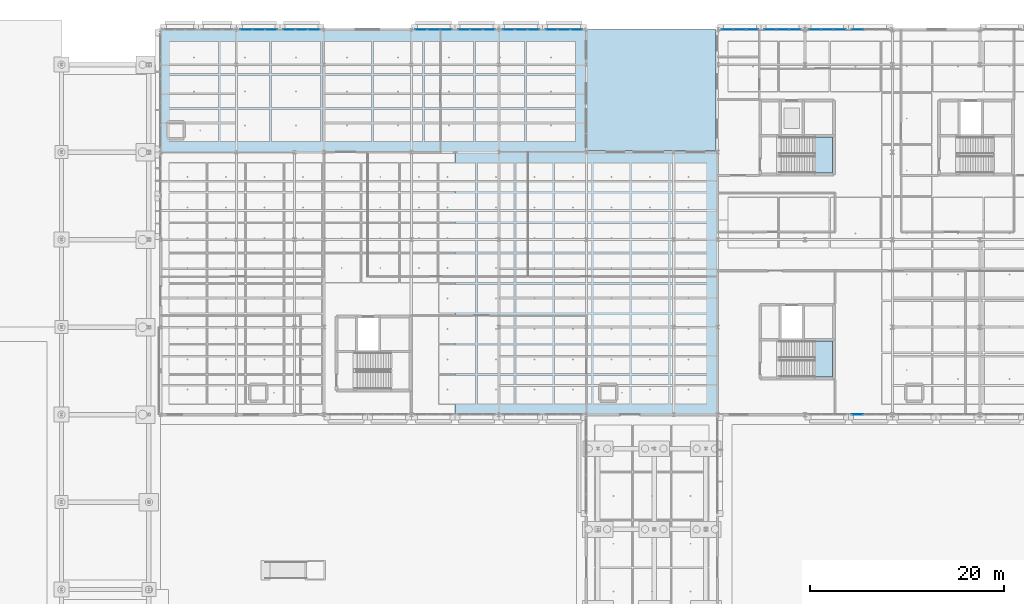
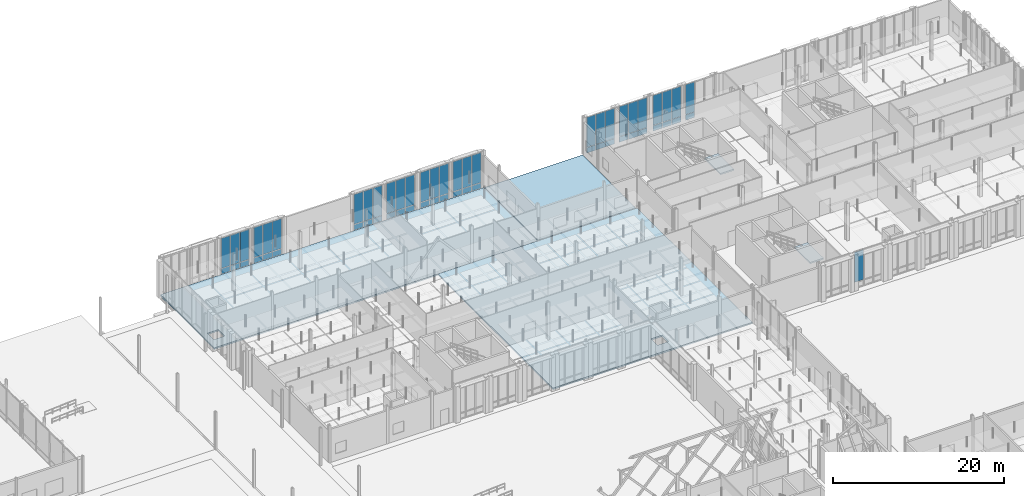
# One storey, part 73 of 180: 57 plates, 5 slabs, 13 elements without a shape of their own.
"""IFC4 building model written with IfcOpenShell, lengths in metres."""

from ifc_helpers import new_model, si_unit, direction, frame, origin, origin_2d, place, context, subcontext, project, spatial, polyline, rectangle, outline, extrude, material, layer, layer_set, type_object, element, aggregate, save


model = new_model("IFC4")

# Units and contexts
model_context = context("Model", 3, precision=1e-05, world=origin(), true_north=direction((0.0, 1.0)))
body_context = subcontext(model_context, "Body", "Model", "MODEL_VIEW")
ifc_project = project(units=[si_unit("LENGTHUNIT", "METRE"), si_unit("AREAUNIT", "SQUARE_METRE"), si_unit("VOLUMEUNIT", "CUBIC_METRE"), si_unit("PLANEANGLEUNIT", "RADIAN"), si_unit("MASSUNIT", "GRAM", prefix="KILO"), si_unit("THERMODYNAMICTEMPERATUREUNIT", "KELVIN"), si_unit("POWERUNIT", "WATT")], contexts=[model_context])

# Site, building, storey
site_placement = place(None, origin())
site = spatial("IfcSite", under=ifc_project, at=site_placement, CompositionType="ELEMENT")
building_placement = place(site_placement, origin())
building = spatial("IfcBuilding", under=site, at=building_placement, Name="Tallowbark Science Centre", CompositionType="ELEMENT")
storey_placement = place(building_placement, origin())
storey = spatial("IfcBuildingStorey", under=building, at=storey_placement, Name="L00", CompositionType="ELEMENT", Elevation=0.0)

# Curtain wall, plates
ifc_material_1 = material(Name="Unitised Thermally Broken Aluminium and Low-E Double Glazing", Category="aluminium")
curtain_wall_type = type_object("IfcCurtainWallType", Name="CW-SYS-FACADE", PredefinedType="NOTDEFINED", material=ifc_material_1)
curtain_wall_1_placement = place(storey_placement, origin())
curtain_wall_1 = element("IfcCurtainWall", 1, at=curtain_wall_1_placement, inside=storey, type_object=curtain_wall_type, Name="Unitised Curtain Wall CAF-N-63A CW-L00-032", PredefinedType="NOTDEFINED")
ifc_material_2 = material(Name="Double Glazed Argon Low-E Vision Glass", Category="glass")
ifc_layer_1 = layer(ifc_material_2, 0.028076171875)
ifc_layer_set_1 = layer_set([ifc_layer_1], Name="Double Glazed Argon Low-E Vision Glass")
plate_type_1 = type_object("IfcPlateType", Name="CWP-GLZ-28", PredefinedType="CURTAIN_PANEL", material=ifc_layer_set_1)
plate_1_placement = place(storey_placement, frame((70.983642578125, 111.60009765625, 0.054931640625), z_axis=(0.0, 0.0, 1.0), x_axis=(-1.0, 0.0, 0.0)))
plate_1 = element("IfcPlate", 2, at=plate_1_placement, type_object=plate_type_1, Name="CW-01 panel 1.1", PredefinedType="CURTAIN_PANEL", context=body_context, shape_type="SweptSolid", body=[
    extrude(rectangle(XDim=1.202392578125, YDim=0.028076171875, at=origin_2d()), origin(), (0.0, 0.0, 1.0), 0.767578125),
])
plate_2_placement = place(storey_placement, frame((70.983642578125, 111.60009765625, 0.87744140625), z_axis=(0.0, 0.0, 1.0), x_axis=(-1.0, 0.0, 0.0)))
plate_2 = element("IfcPlate", 3, at=plate_2_placement, type_object=plate_type_1, Name="CW-01 panel 1.2", PredefinedType="CURTAIN_PANEL", context=body_context, shape_type="SweptSolid", body=[
    extrude(rectangle(XDim=1.202392578125, YDim=0.028076171875, at=origin_2d()), origin(), (0.0, 0.0, 1.0), 4.28759765625),
])
plate_3_placement = place(storey_placement, frame((69.699951171875, 111.60009765625, 0.054931640625), z_axis=(0.0, 0.0, 1.0), x_axis=(-1.0, 0.0, 0.0)))
plate_3 = element("IfcPlate", 4, at=plate_3_placement, type_object=plate_type_1, Name="CW-01 panel 2.1", PredefinedType="CURTAIN_PANEL", context=body_context, shape_type="SweptSolid", body=[
    extrude(rectangle(XDim=1.235107421875, YDim=0.028076171875, at=origin_2d()), origin(), (0.0, 0.0, 1.0), 0.767578125),
])
plate_4_placement = place(storey_placement, frame((69.699951171875, 111.60009765625, 0.87744140625), z_axis=(0.0, 0.0, 1.0), x_axis=(-1.0, 0.0, 0.0)))
plate_4 = element("IfcPlate", 5, at=plate_4_placement, type_object=plate_type_1, Name="CW-01 panel 2.2", PredefinedType="CURTAIN_PANEL", context=body_context, shape_type="SweptSolid", body=[
    extrude(rectangle(XDim=1.235107421875, YDim=0.028076171875, at=origin_2d()), origin(), (0.0, 0.0, 1.0), 4.28759765625),
])
plate_5_placement = place(storey_placement, frame((68.416259765625, 111.60009765625, 0.054931640625), z_axis=(0.0, 0.0, 1.0), x_axis=(-1.0, 0.0, 0.0)))
plate_5 = element("IfcPlate", 6, at=plate_5_placement, type_object=plate_type_1, Name="CW-01 panel 3.1", PredefinedType="CURTAIN_PANEL", context=body_context, shape_type="SweptSolid", body=[
    extrude(rectangle(XDim=1.202392578125, YDim=0.028076171875, at=origin_2d()), origin(), (0.0, 0.0, 1.0), 0.767578125),
])
plate_6_placement = place(storey_placement, frame((68.416259765625, 111.60009765625, 0.87744140625), z_axis=(0.0, 0.0, 1.0), x_axis=(-1.0, 0.0, 0.0)))
plate_6 = element("IfcPlate", 7, at=plate_6_placement, type_object=plate_type_1, Name="CW-01 panel 3.2", PredefinedType="CURTAIN_PANEL", context=body_context, shape_type="SweptSolid", body=[
    extrude(rectangle(XDim=1.202392578125, YDim=0.028076171875, at=origin_2d()), origin(), (0.0, 0.0, 1.0), 4.28759765625),
])
aggregate(curtain_wall_1, [plate_1, plate_2, plate_3, plate_4, plate_5, plate_6])

curtain_wall_2_placement = place(storey_placement, origin())
curtain_wall_2 = element("IfcCurtainWall", 8, at=curtain_wall_2_placement, inside=storey, type_object=curtain_wall_type, Name="Unitised Curtain Wall CAF-N-81A CW-L00-034", PredefinedType="NOTDEFINED")
plate_7_placement = place(storey_placement, frame((88.983642578125, 111.60009765625, 0.054931640625), z_axis=(0.0, 0.0, 1.0), x_axis=(-1.0, 0.0, 0.0)))
plate_7 = element("IfcPlate", 9, at=plate_7_placement, type_object=plate_type_1, Name="CW-01 panel 1.1", PredefinedType="CURTAIN_PANEL", context=body_context, shape_type="SweptSolid", body=[
    extrude(rectangle(XDim=1.202392578125, YDim=0.028076171875, at=origin_2d()), origin(), (0.0, 0.0, 1.0), 0.767578125),
])
plate_8_placement = place(storey_placement, frame((88.983642578125, 111.60009765625, 0.87744140625), z_axis=(0.0, 0.0, 1.0), x_axis=(-1.0, 0.0, 0.0)))
plate_8 = element("IfcPlate", 10, at=plate_8_placement, type_object=plate_type_1, Name="CW-01 panel 1.2", PredefinedType="CURTAIN_PANEL", context=body_context, shape_type="SweptSolid", body=[
    extrude(rectangle(XDim=1.202392578125, YDim=0.028076171875, at=origin_2d()), origin(), (0.0, 0.0, 1.0), 4.28759765625),
])
plate_9_placement = place(storey_placement, frame((87.699951171875, 111.60009765625, 0.054931640625), z_axis=(0.0, 0.0, 1.0), x_axis=(-1.0, 0.0, 0.0)))
plate_9 = element("IfcPlate", 11, at=plate_9_placement, type_object=plate_type_1, Name="CW-01 panel 2.1", PredefinedType="CURTAIN_PANEL", context=body_context, shape_type="SweptSolid", body=[
    extrude(rectangle(XDim=1.235107421875, YDim=0.028076171875, at=origin_2d()), origin(), (0.0, 0.0, 1.0), 0.767578125),
])
plate_10_placement = place(storey_placement, frame((87.699951171875, 111.60009765625, 0.87744140625), z_axis=(0.0, 0.0, 1.0), x_axis=(-1.0, 0.0, 0.0)))
plate_10 = element("IfcPlate", 12, at=plate_10_placement, type_object=plate_type_1, Name="CW-01 panel 2.2", PredefinedType="CURTAIN_PANEL", context=body_context, shape_type="SweptSolid", body=[
    extrude(rectangle(XDim=1.235107421875, YDim=0.028076171875, at=origin_2d()), origin(), (0.0, 0.0, 1.0), 4.28759765625),
])
plate_11_placement = place(storey_placement, frame((86.416259765625, 111.60009765625, 0.054931640625), z_axis=(0.0, 0.0, 1.0), x_axis=(-1.0, 0.0, 0.0)))
plate_11 = element("IfcPlate", 13, at=plate_11_placement, type_object=plate_type_1, Name="CW-01 panel 3.1", PredefinedType="CURTAIN_PANEL", context=body_context, shape_type="SweptSolid", body=[
    extrude(rectangle(XDim=1.202392578125, YDim=0.028076171875, at=origin_2d()), origin(), (0.0, 0.0, 1.0), 0.767578125),
])
plate_12_placement = place(storey_placement, frame((86.416259765625, 111.60009765625, 0.87744140625), z_axis=(0.0, 0.0, 1.0), x_axis=(-1.0, 0.0, 0.0)))
plate_12 = element("IfcPlate", 14, at=plate_12_placement, type_object=plate_type_1, Name="CW-01 panel 3.2", PredefinedType="CURTAIN_PANEL", context=body_context, shape_type="SweptSolid", body=[
    extrude(rectangle(XDim=1.202392578125, YDim=0.028076171875, at=origin_2d()), origin(), (0.0, 0.0, 1.0), 4.28759765625),
])
aggregate(curtain_wall_2, [plate_7, plate_8, plate_9, plate_10, plate_11, plate_12])

curtain_wall_3_placement = place(storey_placement, origin())
curtain_wall_3 = element("IfcCurtainWall", 15, at=curtain_wall_3_placement, inside=storey, type_object=curtain_wall_type, Name="Unitised Curtain Wall CAF-N-81B CW-L00-035", PredefinedType="NOTDEFINED")
plate_13_placement = place(storey_placement, frame((84.583740234375, 111.60009765625, 0.054931640625), z_axis=(0.0, 0.0, 1.0), x_axis=(-1.0, 0.0, 0.0)))
plate_13 = element("IfcPlate", 16, at=plate_13_placement, type_object=plate_type_1, Name="CW-01 panel 1.1", PredefinedType="CURTAIN_PANEL", context=body_context, shape_type="SweptSolid", body=[
    extrude(rectangle(XDim=1.202392578125, YDim=0.028076171875, at=origin_2d()), origin(), (0.0, 0.0, 1.0), 0.767578125),
])
plate_14_placement = place(storey_placement, frame((84.583740234375, 111.60009765625, 0.87744140625), z_axis=(0.0, 0.0, 1.0), x_axis=(-1.0, 0.0, 0.0)))
plate_14 = element("IfcPlate", 17, at=plate_14_placement, type_object=plate_type_1, Name="CW-01 panel 1.2", PredefinedType="CURTAIN_PANEL", context=body_context, shape_type="SweptSolid", body=[
    extrude(rectangle(XDim=1.202392578125, YDim=0.028076171875, at=origin_2d()), origin(), (0.0, 0.0, 1.0), 4.28759765625),
])
plate_15_placement = place(storey_placement, frame((83.300048828125, 111.60009765625, 0.054931640625), z_axis=(0.0, 0.0, 1.0), x_axis=(-1.0, 0.0, 0.0)))
plate_15 = element("IfcPlate", 18, at=plate_15_placement, type_object=plate_type_1, Name="CW-01 panel 2.1", PredefinedType="CURTAIN_PANEL", context=body_context, shape_type="SweptSolid", body=[
    extrude(rectangle(XDim=1.235107421875, YDim=0.028076171875, at=origin_2d()), origin(), (0.0, 0.0, 1.0), 0.767578125),
])
plate_16_placement = place(storey_placement, frame((83.300048828125, 111.60009765625, 0.87744140625), z_axis=(0.0, 0.0, 1.0), x_axis=(-1.0, 0.0, 0.0)))
plate_16 = element("IfcPlate", 19, at=plate_16_placement, type_object=plate_type_1, Name="CW-01 panel 2.2", PredefinedType="CURTAIN_PANEL", context=body_context, shape_type="SweptSolid", body=[
    extrude(rectangle(XDim=1.235107421875, YDim=0.028076171875, at=origin_2d()), origin(), (0.0, 0.0, 1.0), 4.28759765625),
])
plate_17_placement = place(storey_placement, frame((82.016357421875, 111.60009765625, 0.054931640625), z_axis=(0.0, 0.0, 1.0), x_axis=(-1.0, 0.0, 0.0)))
plate_17 = element("IfcPlate", 20, at=plate_17_placement, type_object=plate_type_1, Name="CW-01 panel 3.1", PredefinedType="CURTAIN_PANEL", context=body_context, shape_type="SweptSolid", body=[
    extrude(rectangle(XDim=1.202392578125, YDim=0.028076171875, at=origin_2d()), origin(), (0.0, 0.0, 1.0), 0.767578125),
])
plate_18_placement = place(storey_placement, frame((82.016357421875, 111.60009765625, 0.87744140625), z_axis=(0.0, 0.0, 1.0), x_axis=(-1.0, 0.0, 0.0)))
plate_18 = element("IfcPlate", 21, at=plate_18_placement, type_object=plate_type_1, Name="CW-01 panel 3.2", PredefinedType="CURTAIN_PANEL", context=body_context, shape_type="SweptSolid", body=[
    extrude(rectangle(XDim=1.202392578125, YDim=0.028076171875, at=origin_2d()), origin(), (0.0, 0.0, 1.0), 4.28759765625),
])
aggregate(curtain_wall_3, [plate_13, plate_14, plate_15, plate_16, plate_17, plate_18])

curtain_wall_4_placement = place(storey_placement, origin())
curtain_wall_4 = element("IfcCurtainWall", 22, at=curtain_wall_4_placement, inside=storey, type_object=curtain_wall_type, Name="Unitised Curtain Wall CAF-N-90B CW-L00-037", PredefinedType="NOTDEFINED")
plate_19_placement = place(storey_placement, frame((93.583740234375, 111.60009765625, 0.054931640625), z_axis=(0.0, 0.0, 1.0), x_axis=(-1.0, 0.0, 0.0)))
plate_19 = element("IfcPlate", 23, at=plate_19_placement, type_object=plate_type_1, Name="CW-01 panel 1.1", PredefinedType="CURTAIN_PANEL", context=body_context, shape_type="SweptSolid", body=[
    extrude(rectangle(XDim=1.202392578125, YDim=0.028076171875, at=origin_2d()), origin(), (0.0, 0.0, 1.0), 0.767578125),
])
plate_20_placement = place(storey_placement, frame((93.583740234375, 111.60009765625, 0.87744140625), z_axis=(0.0, 0.0, 1.0), x_axis=(-1.0, 0.0, 0.0)))
plate_20 = element("IfcPlate", 24, at=plate_20_placement, type_object=plate_type_1, Name="CW-01 panel 1.2", PredefinedType="CURTAIN_PANEL", context=body_context, shape_type="SweptSolid", body=[
    extrude(rectangle(XDim=1.202392578125, YDim=0.028076171875, at=origin_2d()), origin(), (0.0, 0.0, 1.0), 4.28759765625),
])
plate_21_placement = place(storey_placement, frame((92.300048828125, 111.60009765625, 0.054931640625), z_axis=(0.0, 0.0, 1.0), x_axis=(-1.0, 0.0, 0.0)))
plate_21 = element("IfcPlate", 25, at=plate_21_placement, type_object=plate_type_1, Name="CW-01 panel 2.1", PredefinedType="CURTAIN_PANEL", context=body_context, shape_type="SweptSolid", body=[
    extrude(rectangle(XDim=1.235107421875, YDim=0.028076171875, at=origin_2d()), origin(), (0.0, 0.0, 1.0), 0.767578125),
])
plate_22_placement = place(storey_placement, frame((92.300048828125, 111.60009765625, 0.87744140625), z_axis=(0.0, 0.0, 1.0), x_axis=(-1.0, 0.0, 0.0)))
plate_22 = element("IfcPlate", 26, at=plate_22_placement, type_object=plate_type_1, Name="CW-01 panel 2.2", PredefinedType="CURTAIN_PANEL", context=body_context, shape_type="SweptSolid", body=[
    extrude(rectangle(XDim=1.235107421875, YDim=0.028076171875, at=origin_2d()), origin(), (0.0, 0.0, 1.0), 4.28759765625),
])
plate_23_placement = place(storey_placement, frame((91.016357421875, 111.60009765625, 0.054931640625), z_axis=(0.0, 0.0, 1.0), x_axis=(-1.0, 0.0, 0.0)))
plate_23 = element("IfcPlate", 27, at=plate_23_placement, type_object=plate_type_1, Name="CW-01 panel 3.1", PredefinedType="CURTAIN_PANEL", context=body_context, shape_type="SweptSolid", body=[
    extrude(rectangle(XDim=1.202392578125, YDim=0.028076171875, at=origin_2d()), origin(), (0.0, 0.0, 1.0), 0.767578125),
])
plate_24_placement = place(storey_placement, frame((91.016357421875, 111.60009765625, 0.87744140625), z_axis=(0.0, 0.0, 1.0), x_axis=(-1.0, 0.0, 0.0)))
plate_24 = element("IfcPlate", 28, at=plate_24_placement, type_object=plate_type_1, Name="CW-01 panel 3.2", PredefinedType="CURTAIN_PANEL", context=body_context, shape_type="SweptSolid", body=[
    extrude(rectangle(XDim=1.202392578125, YDim=0.028076171875, at=origin_2d()), origin(), (0.0, 0.0, 1.0), 4.28759765625),
])
aggregate(curtain_wall_4, [plate_19, plate_20, plate_21, plate_22, plate_23, plate_24])

curtain_wall_5_placement = place(storey_placement, origin())
curtain_wall_5 = element("IfcCurtainWall", 29, at=curtain_wall_5_placement, inside=storey, type_object=curtain_wall_type, Name="Unitised Curtain Wall OBS-N-112B CW-L00-091", PredefinedType="NOTDEFINED")
plate_25_placement = place(storey_placement, frame((116.083740234375, 111.60009765625, 0.054931640625), z_axis=(0.0, 0.0, 1.0), x_axis=(-1.0, 0.0, 0.0)))
plate_25 = element("IfcPlate", 30, at=plate_25_placement, type_object=plate_type_1, Name="CW-01 panel 1.1", PredefinedType="CURTAIN_PANEL", context=body_context, shape_type="SweptSolid", body=[
    extrude(rectangle(XDim=1.202392578125, YDim=0.028076171875, at=origin_2d()), origin(), (0.0, 0.0, 1.0), 0.767578125),
])
plate_26_placement = place(storey_placement, frame((116.083740234375, 111.60009765625, 0.87744140625), z_axis=(0.0, 0.0, 1.0), x_axis=(-1.0, 0.0, 0.0)))
plate_26 = element("IfcPlate", 31, at=plate_26_placement, type_object=plate_type_1, Name="CW-01 panel 1.2", PredefinedType="CURTAIN_PANEL", context=body_context, shape_type="SweptSolid", body=[
    extrude(rectangle(XDim=1.202392578125, YDim=0.028076171875, at=origin_2d()), origin(), (0.0, 0.0, 1.0), 4.28759765625),
])
plate_27_placement = place(storey_placement, frame((114.800048828125, 111.60009765625, 0.054931640625), z_axis=(0.0, 0.0, 1.0), x_axis=(-1.0, 0.0, 0.0)))
plate_27 = element("IfcPlate", 32, at=plate_27_placement, type_object=plate_type_1, Name="CW-01 panel 2.1", PredefinedType="CURTAIN_PANEL", context=body_context, shape_type="SweptSolid", body=[
    extrude(rectangle(XDim=1.235107421875, YDim=0.028076171875, at=origin_2d()), origin(), (0.0, 0.0, 1.0), 0.767578125),
])
plate_28_placement = place(storey_placement, frame((114.800048828125, 111.60009765625, 0.87744140625), z_axis=(0.0, 0.0, 1.0), x_axis=(-1.0, 0.0, 0.0)))
plate_28 = element("IfcPlate", 33, at=plate_28_placement, type_object=plate_type_1, Name="CW-01 panel 2.2", PredefinedType="CURTAIN_PANEL", context=body_context, shape_type="SweptSolid", body=[
    extrude(rectangle(XDim=1.235107421875, YDim=0.028076171875, at=origin_2d()), origin(), (0.0, 0.0, 1.0), 4.28759765625),
])
plate_29_placement = place(storey_placement, frame((113.516357421875, 111.60009765625, 0.054931640625), z_axis=(0.0, 0.0, 1.0), x_axis=(-1.0, 0.0, 0.0)))
plate_29 = element("IfcPlate", 34, at=plate_29_placement, type_object=plate_type_1, Name="CW-01 panel 3.1", PredefinedType="CURTAIN_PANEL", context=body_context, shape_type="SweptSolid", body=[
    extrude(rectangle(XDim=1.202392578125, YDim=0.028076171875, at=origin_2d()), origin(), (0.0, 0.0, 1.0), 0.767578125),
])
plate_30_placement = place(storey_placement, frame((113.516357421875, 111.60009765625, 0.87744140625), z_axis=(0.0, 0.0, 1.0), x_axis=(-1.0, 0.0, 0.0)))
plate_30 = element("IfcPlate", 35, at=plate_30_placement, type_object=plate_type_1, Name="CW-01 panel 3.2", PredefinedType="CURTAIN_PANEL", context=body_context, shape_type="SweptSolid", body=[
    extrude(rectangle(XDim=1.202392578125, YDim=0.028076171875, at=origin_2d()), origin(), (0.0, 0.0, 1.0), 4.28759765625),
])
aggregate(curtain_wall_5, [plate_25, plate_26, plate_27, plate_28, plate_29, plate_30])

curtain_wall_6_placement = place(storey_placement, origin())
curtain_wall_6 = element("IfcCurtainWall", 36, at=curtain_wall_6_placement, inside=storey, type_object=curtain_wall_type, Name="Unitised Curtain Wall OBS-N-121A CW-L00-094", PredefinedType="NOTDEFINED")
plate_31_placement = place(storey_placement, frame((126.916259765625, 111.60009765625, 0.054931640625), z_axis=(0.0, 0.0, 1.0), x_axis=(-1.0, 0.0, 0.0)))
plate_31 = element("IfcPlate", 37, at=plate_31_placement, type_object=plate_type_1, Name="CW-01 panel 3.1", PredefinedType="CURTAIN_PANEL", context=body_context, shape_type="SweptSolid", body=[
    extrude(rectangle(XDim=1.202392578125, YDim=0.028076171875, at=origin_2d()), origin(), (0.0, 0.0, 1.0), 0.767578125),
])
plate_32_placement = place(storey_placement, frame((126.916259765625, 111.60009765625, 0.87744140625), z_axis=(0.0, 0.0, 1.0), x_axis=(-1.0, 0.0, 0.0)))
plate_32 = element("IfcPlate", 38, at=plate_32_placement, type_object=plate_type_1, Name="CW-01 panel 3.2", PredefinedType="CURTAIN_PANEL", context=body_context, shape_type="SweptSolid", body=[
    extrude(rectangle(XDim=1.202392578125, YDim=0.028076171875, at=origin_2d()), origin(), (0.0, 0.0, 1.0), 4.28759765625),
])
aggregate(curtain_wall_6, [plate_31, plate_32])

curtain_wall_7_placement = place(storey_placement, origin())
curtain_wall_7 = element("IfcCurtainWall", 39, at=curtain_wall_7_placement, inside=storey, type_object=curtain_wall_type, Name="Unitised Curtain Wall OBS-N-121B CW-L00-095", PredefinedType="NOTDEFINED")
plate_33_placement = place(storey_placement, frame((125.083740234375, 111.60009765625, 0.054931640625), z_axis=(0.0, 0.0, 1.0), x_axis=(-1.0, 0.0, 0.0)))
plate_33 = element("IfcPlate", 40, at=plate_33_placement, type_object=plate_type_1, Name="CW-01 panel 1.1", PredefinedType="CURTAIN_PANEL", context=body_context, shape_type="SweptSolid", body=[
    extrude(rectangle(XDim=1.202392578125, YDim=0.028076171875, at=origin_2d()), origin(), (0.0, 0.0, 1.0), 0.767578125),
])
plate_34_placement = place(storey_placement, frame((125.083740234375, 111.60009765625, 0.87744140625), z_axis=(0.0, 0.0, 1.0), x_axis=(-1.0, 0.0, 0.0)))
plate_34 = element("IfcPlate", 41, at=plate_34_placement, type_object=plate_type_1, Name="CW-01 panel 1.2", PredefinedType="CURTAIN_PANEL", context=body_context, shape_type="SweptSolid", body=[
    extrude(rectangle(XDim=1.202392578125, YDim=0.028076171875, at=origin_2d()), origin(), (0.0, 0.0, 1.0), 4.28759765625),
])
plate_35_placement = place(storey_placement, frame((123.800048828125, 111.60009765625, 0.054931640625), z_axis=(0.0, 0.0, 1.0), x_axis=(-1.0, 0.0, 0.0)))
plate_35 = element("IfcPlate", 42, at=plate_35_placement, type_object=plate_type_1, Name="CW-01 panel 2.1", PredefinedType="CURTAIN_PANEL", context=body_context, shape_type="SweptSolid", body=[
    extrude(rectangle(XDim=1.235107421875, YDim=0.028076171875, at=origin_2d()), origin(), (0.0, 0.0, 1.0), 0.767578125),
])
plate_36_placement = place(storey_placement, frame((123.800048828125, 111.60009765625, 0.87744140625), z_axis=(0.0, 0.0, 1.0), x_axis=(-1.0, 0.0, 0.0)))
plate_36 = element("IfcPlate", 43, at=plate_36_placement, type_object=plate_type_1, Name="CW-01 panel 2.2", PredefinedType="CURTAIN_PANEL", context=body_context, shape_type="SweptSolid", body=[
    extrude(rectangle(XDim=1.235107421875, YDim=0.028076171875, at=origin_2d()), origin(), (0.0, 0.0, 1.0), 4.28759765625),
])
plate_37_placement = place(storey_placement, frame((122.516357421875, 111.60009765625, 0.054931640625), z_axis=(0.0, 0.0, 1.0), x_axis=(-1.0, 0.0, 0.0)))
plate_37 = element("IfcPlate", 44, at=plate_37_placement, type_object=plate_type_1, Name="CW-01 panel 3.1", PredefinedType="CURTAIN_PANEL", context=body_context, shape_type="SweptSolid", body=[
    extrude(rectangle(XDim=1.202392578125, YDim=0.028076171875, at=origin_2d()), origin(), (0.0, 0.0, 1.0), 0.767578125),
])
plate_38_placement = place(storey_placement, frame((122.516357421875, 111.60009765625, 0.87744140625), z_axis=(0.0, 0.0, 1.0), x_axis=(-1.0, 0.0, 0.0)))
plate_38 = element("IfcPlate", 45, at=plate_38_placement, type_object=plate_type_1, Name="CW-01 panel 3.2", PredefinedType="CURTAIN_PANEL", context=body_context, shape_type="SweptSolid", body=[
    extrude(rectangle(XDim=1.202392578125, YDim=0.028076171875, at=origin_2d()), origin(), (0.0, 0.0, 1.0), 4.28759765625),
])
aggregate(curtain_wall_7, [plate_33, plate_34, plate_35, plate_36, plate_37, plate_38])

curtain_wall_8_placement = place(storey_placement, origin())
curtain_wall_8 = element("IfcCurtainWall", 46, at=curtain_wall_8_placement, inside=storey, type_object=curtain_wall_type, Name="Unitised Curtain Wall CAF-N-63B CW-L00-033", PredefinedType="NOTDEFINED")
ifc_material_3 = material(Name="Ceramic-Fritted Insulated Glass Spandrel Panel", Category="glass")
ifc_layer_2 = layer(ifc_material_3, 0.031982421875)
ifc_layer_set_2 = layer_set([ifc_layer_2], Name="Ceramic-Fritted Insulated Glass Spandrel Panel")
plate_type_2 = type_object("IfcPlateType", Name="CWP-SPN-32", PredefinedType="CURTAIN_PANEL", material=ifc_layer_set_2)
plate_39_placement = place(storey_placement, frame((66.583740234375, 111.60009765625, 0.054931640625), z_axis=(0.0, 0.0, 1.0), x_axis=(-1.0, 0.0, 0.0)))
plate_39 = element("IfcPlate", 47, at=plate_39_placement, type_object=plate_type_2, Name="CW-01 panel 1.1", PredefinedType="CURTAIN_PANEL", context=body_context, shape_type="SweptSolid", body=[
    extrude(rectangle(XDim=1.202392578125, YDim=0.031982421875, at=origin_2d()), origin(), (0.0, 0.0, 1.0), 0.767578125),
])
plate_40_placement = place(storey_placement, frame((66.583740234375, 111.60009765625, 0.87744140625), z_axis=(0.0, 0.0, 1.0), x_axis=(-1.0, 0.0, 0.0)))
plate_40 = element("IfcPlate", 48, at=plate_40_placement, type_object=plate_type_2, Name="CW-01 panel 1.2", PredefinedType="CURTAIN_PANEL", context=body_context, shape_type="SweptSolid", body=[
    extrude(rectangle(XDim=1.202392578125, YDim=0.031982421875, at=origin_2d()), origin(), (0.0, 0.0, 1.0), 4.28759765625),
])
plate_41_placement = place(storey_placement, frame((65.300048828125, 111.60009765625, 0.054931640625), z_axis=(0.0, 0.0, 1.0), x_axis=(-1.0, 0.0, 0.0)))
plate_41 = element("IfcPlate", 49, at=plate_41_placement, type_object=plate_type_2, Name="CW-01 panel 2.1", PredefinedType="CURTAIN_PANEL", context=body_context, shape_type="SweptSolid", body=[
    extrude(rectangle(XDim=1.235107421875, YDim=0.031982421875, at=origin_2d()), origin(), (0.0, 0.0, 1.0), 0.767578125),
])
plate_42_placement = place(storey_placement, frame((65.300048828125, 111.60009765625, 0.87744140625), z_axis=(0.0, 0.0, 1.0), x_axis=(-1.0, 0.0, 0.0)))
plate_42 = element("IfcPlate", 50, at=plate_42_placement, type_object=plate_type_2, Name="CW-01 panel 2.2", PredefinedType="CURTAIN_PANEL", context=body_context, shape_type="SweptSolid", body=[
    extrude(rectangle(XDim=1.235107421875, YDim=0.031982421875, at=origin_2d()), origin(), (0.0, 0.0, 1.0), 4.28759765625),
])
plate_43_placement = place(storey_placement, frame((64.016357421875, 111.60009765625, 0.054931640625), z_axis=(0.0, 0.0, 1.0), x_axis=(-1.0, 0.0, 0.0)))
plate_43 = element("IfcPlate", 51, at=plate_43_placement, type_object=plate_type_2, Name="CW-01 panel 3.1", PredefinedType="CURTAIN_PANEL", context=body_context, shape_type="SweptSolid", body=[
    extrude(rectangle(XDim=1.202392578125, YDim=0.031982421875, at=origin_2d()), origin(), (0.0, 0.0, 1.0), 0.767578125),
])
plate_44_placement = place(storey_placement, frame((64.016357421875, 111.60009765625, 0.87744140625), z_axis=(0.0, 0.0, 1.0), x_axis=(-1.0, 0.0, 0.0)))
plate_44 = element("IfcPlate", 52, at=plate_44_placement, type_object=plate_type_2, Name="CW-01 panel 3.2", PredefinedType="CURTAIN_PANEL", context=body_context, shape_type="SweptSolid", body=[
    extrude(rectangle(XDim=1.202392578125, YDim=0.031982421875, at=origin_2d()), origin(), (0.0, 0.0, 1.0), 4.28759765625),
])
aggregate(curtain_wall_8, [plate_39, plate_40, plate_41, plate_42, plate_43, plate_44])

curtain_wall_9_placement = place(storey_placement, origin())
curtain_wall_9 = element("IfcCurtainWall", 53, at=curtain_wall_9_placement, inside=storey, type_object=curtain_wall_type, Name="Unitised Curtain Wall CAF-N-90A CW-L00-036", PredefinedType="NOTDEFINED")
plate_45_placement = place(storey_placement, frame((97.983642578125, 111.60009765625, 0.054931640625), z_axis=(0.0, 0.0, 1.0), x_axis=(-1.0, 0.0, 0.0)))
plate_45 = element("IfcPlate", 54, at=plate_45_placement, type_object=plate_type_2, Name="CW-01 panel 1.1", PredefinedType="CURTAIN_PANEL", context=body_context, shape_type="SweptSolid", body=[
    extrude(rectangle(XDim=1.202392578125, YDim=0.031982421875, at=origin_2d()), origin(), (0.0, 0.0, 1.0), 0.767578125),
])
plate_46_placement = place(storey_placement, frame((97.983642578125, 111.60009765625, 0.87744140625), z_axis=(0.0, 0.0, 1.0), x_axis=(-1.0, 0.0, 0.0)))
plate_46 = element("IfcPlate", 55, at=plate_46_placement, type_object=plate_type_2, Name="CW-01 panel 1.2", PredefinedType="CURTAIN_PANEL", context=body_context, shape_type="SweptSolid", body=[
    extrude(rectangle(XDim=1.202392578125, YDim=0.031982421875, at=origin_2d()), origin(), (0.0, 0.0, 1.0), 4.28759765625),
])
plate_47_placement = place(storey_placement, frame((96.699951171875, 111.60009765625, 0.054931640625), z_axis=(0.0, 0.0, 1.0), x_axis=(-1.0, 0.0, 0.0)))
plate_47 = element("IfcPlate", 56, at=plate_47_placement, type_object=plate_type_2, Name="CW-01 panel 2.1", PredefinedType="CURTAIN_PANEL", context=body_context, shape_type="SweptSolid", body=[
    extrude(rectangle(XDim=1.235107421875, YDim=0.031982421875, at=origin_2d()), origin(), (0.0, 0.0, 1.0), 0.767578125),
])
plate_48_placement = place(storey_placement, frame((96.699951171875, 111.60009765625, 0.87744140625), z_axis=(0.0, 0.0, 1.0), x_axis=(-1.0, 0.0, 0.0)))
plate_48 = element("IfcPlate", 57, at=plate_48_placement, type_object=plate_type_2, Name="CW-01 panel 2.2", PredefinedType="CURTAIN_PANEL", context=body_context, shape_type="SweptSolid", body=[
    extrude(rectangle(XDim=1.235107421875, YDim=0.031982421875, at=origin_2d()), origin(), (0.0, 0.0, 1.0), 4.28759765625),
])
plate_49_placement = place(storey_placement, frame((95.416259765625, 111.60009765625, 0.054931640625), z_axis=(0.0, 0.0, 1.0), x_axis=(-1.0, 0.0, 0.0)))
plate_49 = element("IfcPlate", 58, at=plate_49_placement, type_object=plate_type_2, Name="CW-01 panel 3.1", PredefinedType="CURTAIN_PANEL", context=body_context, shape_type="SweptSolid", body=[
    extrude(rectangle(XDim=1.202392578125, YDim=0.031982421875, at=origin_2d()), origin(), (0.0, 0.0, 1.0), 0.767578125),
])
plate_50_placement = place(storey_placement, frame((95.416259765625, 111.60009765625, 0.87744140625), z_axis=(0.0, 0.0, 1.0), x_axis=(-1.0, 0.0, 0.0)))
plate_50 = element("IfcPlate", 59, at=plate_50_placement, type_object=plate_type_2, Name="CW-01 panel 3.2", PredefinedType="CURTAIN_PANEL", context=body_context, shape_type="SweptSolid", body=[
    extrude(rectangle(XDim=1.202392578125, YDim=0.031982421875, at=origin_2d()), origin(), (0.0, 0.0, 1.0), 4.28759765625),
])
aggregate(curtain_wall_9, [plate_45, plate_46, plate_47, plate_48, plate_49, plate_50])

curtain_wall_10_placement = place(storey_placement, origin())
curtain_wall_10 = element("IfcCurtainWall", 60, at=curtain_wall_10_placement, inside=storey, type_object=curtain_wall_type, Name="Unitised Curtain Wall OBS-N-112A CW-L00-090", PredefinedType="NOTDEFINED")
plate_51_placement = place(storey_placement, frame((120.483642578125, 111.60009765625, 0.054931640625), z_axis=(0.0, 0.0, 1.0), x_axis=(-1.0, 0.0, 0.0)))
plate_51 = element("IfcPlate", 61, at=plate_51_placement, type_object=plate_type_2, Name="CW-01 panel 1.1", PredefinedType="CURTAIN_PANEL", context=body_context, shape_type="SweptSolid", body=[
    extrude(rectangle(XDim=1.202392578125, YDim=0.031982421875, at=origin_2d()), origin(), (0.0, 0.0, 1.0), 0.767578125),
])
plate_52_placement = place(storey_placement, frame((120.483642578125, 111.60009765625, 0.87744140625), z_axis=(0.0, 0.0, 1.0), x_axis=(-1.0, 0.0, 0.0)))
plate_52 = element("IfcPlate", 62, at=plate_52_placement, type_object=plate_type_2, Name="CW-01 panel 1.2", PredefinedType="CURTAIN_PANEL", context=body_context, shape_type="SweptSolid", body=[
    extrude(rectangle(XDim=1.202392578125, YDim=0.031982421875, at=origin_2d()), origin(), (0.0, 0.0, 1.0), 4.28759765625),
])
plate_53_placement = place(storey_placement, frame((119.199951171875, 111.60009765625, 0.054931640625), z_axis=(0.0, 0.0, 1.0), x_axis=(-1.0, 0.0, 0.0)))
plate_53 = element("IfcPlate", 63, at=plate_53_placement, type_object=plate_type_2, Name="CW-01 panel 2.1", PredefinedType="CURTAIN_PANEL", context=body_context, shape_type="SweptSolid", body=[
    extrude(rectangle(XDim=1.235107421875, YDim=0.031982421875, at=origin_2d()), origin(), (0.0, 0.0, 1.0), 0.767578125),
])
plate_54_placement = place(storey_placement, frame((119.199951171875, 111.60009765625, 0.87744140625), z_axis=(0.0, 0.0, 1.0), x_axis=(-1.0, 0.0, 0.0)))
plate_54 = element("IfcPlate", 64, at=plate_54_placement, type_object=plate_type_2, Name="CW-01 panel 2.2", PredefinedType="CURTAIN_PANEL", context=body_context, shape_type="SweptSolid", body=[
    extrude(rectangle(XDim=1.235107421875, YDim=0.031982421875, at=origin_2d()), origin(), (0.0, 0.0, 1.0), 4.28759765625),
])
plate_55_placement = place(storey_placement, frame((117.916259765625, 111.60009765625, 0.054931640625), z_axis=(0.0, 0.0, 1.0), x_axis=(-1.0, 0.0, 0.0)))
plate_55 = element("IfcPlate", 65, at=plate_55_placement, type_object=plate_type_2, Name="CW-01 panel 3.1", PredefinedType="CURTAIN_PANEL", context=body_context, shape_type="SweptSolid", body=[
    extrude(rectangle(XDim=1.202392578125, YDim=0.031982421875, at=origin_2d()), origin(), (0.0, 0.0, 1.0), 0.767578125),
])
plate_56_placement = place(storey_placement, frame((117.916259765625, 111.60009765625, 0.87744140625), z_axis=(0.0, 0.0, 1.0), x_axis=(-1.0, 0.0, 0.0)))
plate_56 = element("IfcPlate", 66, at=plate_56_placement, type_object=plate_type_2, Name="CW-01 panel 3.2", PredefinedType="CURTAIN_PANEL", context=body_context, shape_type="SweptSolid", body=[
    extrude(rectangle(XDim=1.202392578125, YDim=0.031982421875, at=origin_2d()), origin(), (0.0, 0.0, 1.0), 4.28759765625),
])
aggregate(curtain_wall_10, [plate_51, plate_52, plate_53, plate_54, plate_55, plate_56])

# Curtain wall, plate
curtain_wall_11_placement = place(storey_placement, origin())
curtain_wall_11 = element("IfcCurtainWall", 67, at=curtain_wall_11_placement, inside=storey, type_object=curtain_wall_type, Name="Unitised Curtain Wall OBS-S-121B CW-L00-093", PredefinedType="NOTDEFINED")
plate_57_placement = place(storey_placement, frame((126.916259765625, 72.0, 0.87744140625), z_axis=(0.0, 0.0, 1.0), x_axis=(1.0, 0.0, 0.0)))
plate_57 = element("IfcPlate", 68, at=plate_57_placement, type_object=plate_type_2, Name="CW-01 panel 1.2", PredefinedType="CURTAIN_PANEL", context=body_context, shape_type="SweptSolid", body=[
    extrude(rectangle(XDim=1.202392578125, YDim=0.031982421875, at=origin_2d()), origin(), (0.0, 0.0, 1.0), 4.28759765625),
])
aggregate(curtain_wall_11, [plate_57])

# Slabs
ifc_material_4 = material(Name="Concrete Grade N40 (40 MPa)", Category="concrete")
ifc_layer_3 = layer(ifc_material_4, 0.260009765625)
ifc_layer_set_3 = layer_set([ifc_layer_3], Name="Concrete Grade N40 (40 MPa)")
slab_type_1 = type_object("IfcSlabType", Name="SLB-BASE-260", PredefinedType="BASESLAB", material=ifc_layer_set_3)
slab_1_placement = place(storey_placement, frame((0.0, 0.0, -0.280029296875)))
element("IfcSlab", 69, at=slab_1_placement, inside=storey, type_object=slab_type_1, Name="Civic Sandstone Plaza Slab SLB-PLZ-CAF-E", PredefinedType="BASESLAB", context=body_context, shape_type="SweptSolid", body=[
    extrude(outline(polyline([(99.10009765625, 111.60009765625), (112.35009765625, 111.60009765625), (112.35009765625, 99.10009765625), (99.10009765625, 99.10009765625), (99.10009765625, 111.60009765625)])), origin(), (0.0, 0.0, 1.0), 0.260009765625),
])
ifc_layer_4 = layer(ifc_material_4, 0.219970703125)
ifc_layer_set_4 = layer_set([ifc_layer_4], Name="Concrete Grade N40 (40 MPa)")
slab_type_2 = type_object("IfcSlabType", Name="SLB-GND-220", PredefinedType="FLOOR", material=ifc_layer_set_4)
slab_2_placement = place(storey_placement, frame((0.0, 0.0, -0.219970703125)))
element("IfcSlab", 70, at=slab_2_placement, inside=storey, type_object=slab_type_2, Name="Science Park Cafe Slab L00 SLB-LAB-CAF-L00", PredefinedType="FLOOR", context=body_context, shape_type="SweptSolid", body=[
    extrude(outline(polyline([(55.199951171875, 99.0), (99.0, 99.0), (99.0, 111.60009765625), (55.199951171875, 111.60009765625), (55.199951171875, 99.0)]), holes=[polyline([(56.0, 100.5), (57.5, 100.5), (57.5, 102.0), (56.0, 102.0), (56.0, 100.5)])]), origin(), (0.0, 0.0, 1.0), 0.219970703125),
])
slab_3_placement = place(storey_placement, frame((0.0, 0.0, -0.219970703125)))
element("IfcSlab", 71, at=slab_3_placement, inside=storey, type_object=slab_type_2, Name="Laboratories East Slab L00 SLB-LAB-E-L00", PredefinedType="FLOOR", context=body_context, shape_type="SweptSolid", body=[
    extrude(outline(polyline([(85.5, 72.0), (112.47509765625, 72.0), (112.47509765625, 99.0), (85.5, 99.0), (85.5, 72.0)]), holes=[polyline([(100.5, 73.5), (102.0, 73.5), (102.0, 75.0), (100.5, 75.0), (100.5, 73.5)])]), origin(), (0.0, 0.0, 1.0), 0.219970703125),
])

# Stair, slab
stair_type_1 = type_object("IfcStairType", Name="STR-C2", PredefinedType="HALF_TURN_STAIR", material=ifc_material_4)
stair_1_placement = place(storey_placement, origin())
stair_1 = element("IfcStair", 72, at=stair_1_placement, inside=storey, type_object=stair_type_1, Name="L00 Fire Stair ST-02", PredefinedType="HALF_TURN_STAIR")
ifc_layer_5 = layer(ifc_material_4, 0.199951171875)
ifc_layer_set_5 = layer_set([ifc_layer_5], Name="Concrete Grade N40 (40 MPa)")
slab_type_3 = type_object("IfcSlabType", Name="SLB-LND-200", PredefinedType="LANDING", material=ifc_layer_set_5)
slab_4_placement = place(storey_placement, frame((0.0, 0.0, 2.5)))
slab_4 = element("IfcSlab", 73, at=slab_4_placement, type_object=slab_type_3, Name="ST-02 landing 1", PredefinedType="LANDING", context=body_context, shape_type="SweptSolid", body=[
    extrude(outline(polyline([(122.52001953125, 75.85009765625), (124.35009765625, 75.85009765625), (124.35009765625, 79.570068359375), (122.52001953125, 79.570068359375), (122.52001953125, 75.85009765625)])), origin(), (0.0, 0.0, 1.0), 0.199951171875),
])
aggregate(stair_1, [slab_4])

stair_type_2 = type_object("IfcStairType", Name="STR-C5", PredefinedType="HALF_TURN_STAIR", material=ifc_material_4)
stair_2_placement = place(storey_placement, origin())
stair_2 = element("IfcStair", 74, at=stair_2_placement, inside=storey, type_object=stair_type_2, Name="L00 Fire Stair ST-05", PredefinedType="HALF_TURN_STAIR")
slab_5_placement = place(storey_placement, frame((0.0, 0.0, 2.5)))
slab_5 = element("IfcSlab", 75, at=slab_5_placement, type_object=slab_type_3, Name="ST-05 landing 1", PredefinedType="LANDING", context=body_context, shape_type="SweptSolid", body=[
    extrude(outline(polyline([(122.52001953125, 96.85009765625), (124.35009765625, 96.85009765625), (124.35009765625, 100.570068359375), (122.52001953125, 100.570068359375), (122.52001953125, 96.85009765625)])), origin(), (0.0, 0.0, 1.0), 0.199951171875),
])
aggregate(stair_2, [slab_5])

save(model, "model.ifc")
